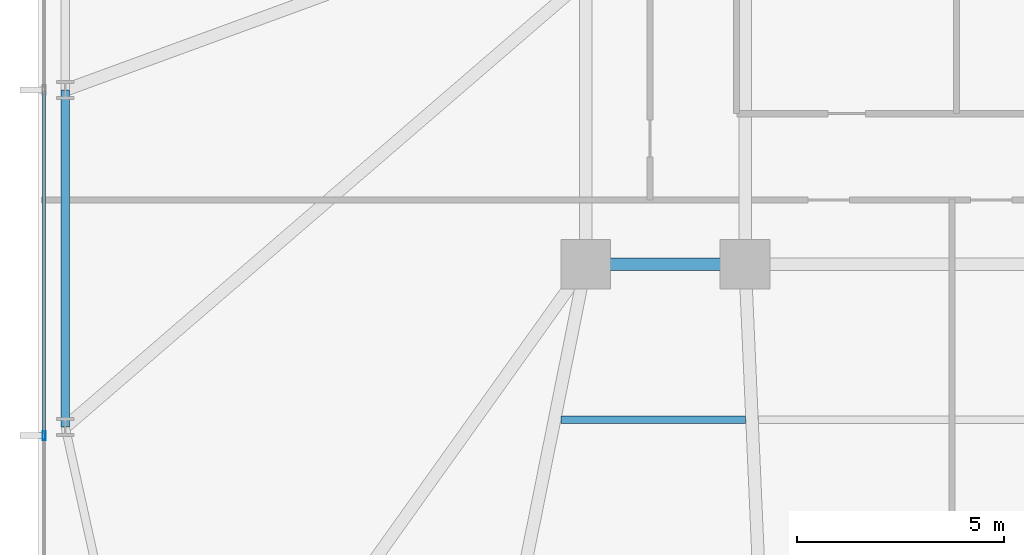
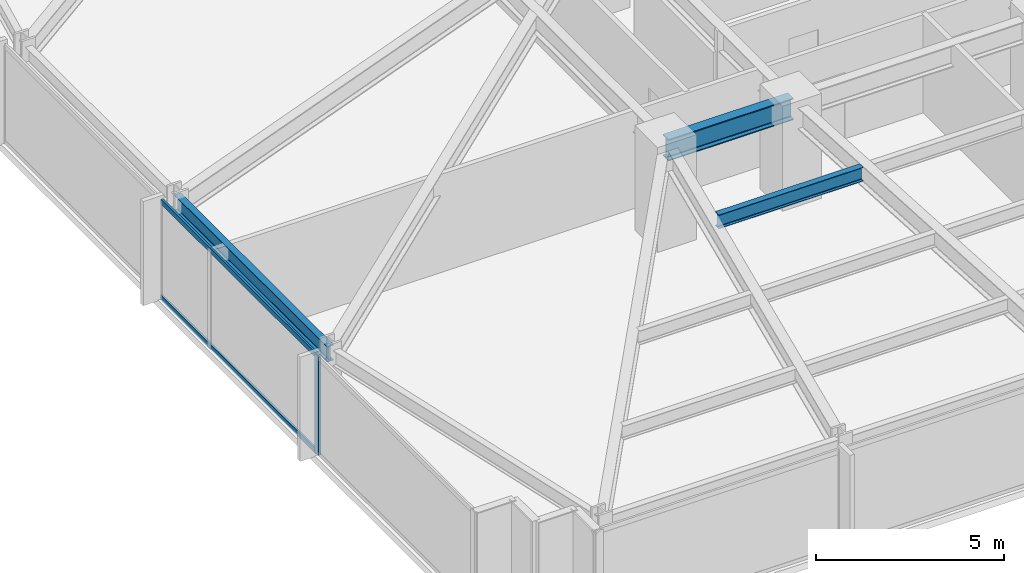
# One storey, part 4 of 33: 3 beams, 3 members, 1 element without a shape of its own.
"""IFC4 building model written with IfcOpenShell, lengths in metres."""

from ifc_helpers import new_model, si_unit, direction, frame, origin, origin_2d, place, context, subcontext, project, spatial, hollow_rectangle, i_section, extrude, material, material_profile, profile_set, type_object, element, aggregate, save


model = new_model("IFC4")

# Units and contexts
model_context = context("Model", 3, precision=1e-05, world=origin(), true_north=direction((0.0, 1.0)))
body_context = subcontext(model_context, "Body", "Model", "MODEL_VIEW")
ifc_project = project(units=[si_unit("LENGTHUNIT", "METRE"), si_unit("AREAUNIT", "SQUARE_METRE"), si_unit("VOLUMEUNIT", "CUBIC_METRE"), si_unit("PLANEANGLEUNIT", "RADIAN"), si_unit("MASSUNIT", "GRAM", prefix="KILO")], contexts=[model_context])

# Site, building, storey
site_placement = place(None, origin())
site = spatial("IfcSite", under=ifc_project, at=site_placement, CompositionType="ELEMENT")
building_placement = place(site_placement, origin())
building = spatial("IfcBuilding", under=site, at=building_placement, Name="Yelkora Congress Tower", CompositionType="ELEMENT")
storey_placement = place(building_placement, frame((0.0, 0.0, 54.199951171875)))
storey = spatial("IfcBuildingStorey", under=building, at=storey_placement, Name="L13", CompositionType="ELEMENT", Elevation=54.199951171875)

# Beams
ifc_material_1 = material(Name="Steel S355J2", Category="steel")
ifc_material_profile_1 = material_profile(ifc_material_1, i_section(OverallWidth=0.300048828125, OverallDepth=0.699951171875, WebThickness=0.01708984375, FlangeThickness=0.031982421875, FilletRadius=0.027099609375, at=origin_2d()), Name="HEB 700")
ifc_profile_set_1 = profile_set([ifc_material_profile_1], Name="Steel S355J2")
beam_type_1 = type_object("IfcBeamType", Name="BM-GIRD-HEB700", PredefinedType="BEAM", material=ifc_profile_set_1)
beam_1_placement = place(storey_placement, frame((19.199951171875, 25.199951171875, 2.830078125), z_axis=(1.0, 0.0, 0.0), x_axis=(0.0, 1.0, 0.0)))
element("IfcBeam", 1, at=beam_1_placement, inside=storey, type_object=beam_type_1, Name="L13 Spine Grid D Girder 1", PredefinedType="BEAM", context=body_context, shape_type="SweptSolid", body=[
    extrude(i_section(OverallWidth=0.300048828125, OverallDepth=0.699951171875, WebThickness=0.01708984375, FlangeThickness=0.031982421875, FilletRadius=0.027099609375, at=origin_2d()), origin(), (0.0, 0.0, 1.0), 3.840087890625),
])
ifc_material_profile_2 = material_profile(ifc_material_1, i_section(OverallWidth=0.18994140625, OverallDepth=0.449951171875, WebThickness=0.009521484375, FlangeThickness=0.0146484375, FilletRadius=0.02099609375, at=origin_2d()), Name="IPE 450")
ifc_profile_set_2 = profile_set([ifc_material_profile_2], Name="Steel S355J2")
beam_type_2 = type_object("IfcBeamType", Name="BM-JOIST-IPE450", PredefinedType="JOIST", material=ifc_profile_set_2)
beam_2_placement = place(storey_placement, frame((18.60546875, 21.449951171875, 2.955078125), z_axis=(1.0, 0.0, 0.0), x_axis=(0.0, 1.0, 0.0)))
element("IfcBeam", 2, at=beam_2_placement, inside=storey, type_object=beam_type_2, Name="L13 Composite Floor Joist 17", PredefinedType="JOIST", context=body_context, shape_type="SweptSolid", body=[
    extrude(i_section(OverallWidth=0.18994140625, OverallDepth=0.449951171875, WebThickness=0.009521484375, FlangeThickness=0.0146484375, FilletRadius=0.02099609375, at=origin_2d()), origin(), (0.0, 0.0, 1.0), 4.4404296875),
])
ifc_material_profile_3 = material_profile(ifc_material_1, i_section(OverallWidth=0.199951171875, OverallDepth=0.5, WebThickness=0.01025390625, FlangeThickness=0.01611328125, FilletRadius=0.02099609375, at=origin_2d()), Name="IPE 500")
ifc_profile_set_3 = profile_set([ifc_material_profile_3], Name="Steel S355J2")
beam_type_3 = type_object("IfcBeamType", Name="BM-SPAN-IPE500", PredefinedType="SPANDREL", material=ifc_profile_set_3)
beam_3_placement = place(storey_placement, frame((6.64990234375, 29.39990234375, 2.929931640625), z_axis=(0.0, -1.0, 0.0), x_axis=(1.0, 0.0, 0.0)))
element("IfcBeam", 3, at=beam_3_placement, inside=storey, type_object=beam_type_3, Name="L13 Perimeter Beam 19", PredefinedType="SPANDREL", context=body_context, shape_type="SweptSolid", body=[
    extrude(i_section(OverallWidth=0.199951171875, OverallDepth=0.5, WebThickness=0.01025390625, FlangeThickness=0.01611328125, FilletRadius=0.02099609375, at=origin_2d()), origin(), (0.0, 0.0, 1.0), 8.125),
])

# Curtain wall, members
ifc_material_2 = material(Name="Anodised aluminium and insulated glass", Category="aluminium")
curtain_wall_type = type_object("IfcCurtainWallType", Name="CW-SYS-B1", PredefinedType="NOTDEFINED", material=ifc_material_2)
curtain_wall_placement = place(storey_placement, origin())
curtain_wall = element("IfcCurtainWall", 4, at=curtain_wall_placement, inside=storey, type_object=curtain_wall_type, Name="L13 Unitised Curtain Wall 5", PredefinedType="NOTDEFINED")
ifc_material_3 = material(Name="Anodised aluminium 6063-T6", Category="aluminium")
ifc_material_profile_4 = material_profile(ifc_material_3, hollow_rectangle(XDim=0.074951171875, YDim=0.219970703125, WallThickness=0.0048828125, at=origin_2d()), Name="ALU 75x220x5")
ifc_profile_set_4 = profile_set([ifc_material_profile_4], Name="Anodised aluminium 6063-T6")
member_type_1 = type_object("IfcMemberType", Name="MEM-ML-B1", PredefinedType="MULLION", material=ifc_profile_set_4)
member_1_placement = place(storey_placement, frame((6.139892578125, 21.070068359375, 0.0), z_axis=(0.0, 0.0, 1.0), x_axis=(-1.0, 0.0, 0.0)))
member_1 = element("IfcMember", 5, at=member_1_placement, type_object=member_type_1, Name="CW-B1 mullion 2", PredefinedType="MULLION", context=body_context, shape_type="SweptSolid", body=[
    extrude(hollow_rectangle(XDim=0.074951171875, YDim=0.219970703125, WallThickness=0.0048828125, at=origin_2d()), origin(), (0.0, 0.0, 1.0), 3.179931640625),
])
ifc_material_profile_5 = material_profile(ifc_material_3, hollow_rectangle(XDim=0.06494140625, YDim=0.159912109375, WallThickness=0.00390625, at=origin_2d()), Name="ALU 65x160x4")
ifc_profile_set_5 = profile_set([ifc_material_profile_5], Name="Anodised aluminium 6063-T6")
member_type_2 = type_object("IfcMemberType", Name="MEM-TR-B1", PredefinedType="USERDEFINED", material=ifc_profile_set_5)
member_2_placement = place(storey_placement, frame((6.139892578125, 21.107421875, 0.032470703125), z_axis=(0.0, 1.0, 0.0), x_axis=(-1.0, 0.0, 0.0)))
member_2 = element("IfcMember", 6, at=member_2_placement, type_object=member_type_2, Name="CW-B1 transom 2.1", ObjectType="TRANSOM", PredefinedType="USERDEFINED", context=body_context, shape_type="SweptSolid", body=[
    extrude(hollow_rectangle(XDim=0.06494140625, YDim=0.159912109375, WallThickness=0.00390625, at=origin_2d()), origin(), (0.0, 0.0, 1.0), 8.255126953125),
])
member_3_placement = place(storey_placement, frame((6.139892578125, 21.107421875, 3.1474609375), z_axis=(0.0, 1.0, 0.0), x_axis=(-1.0, 0.0, 0.0)))
member_3 = element("IfcMember", 7, at=member_3_placement, type_object=member_type_2, Name="CW-B1 transom 2.2", ObjectType="TRANSOM", PredefinedType="USERDEFINED", context=body_context, shape_type="SweptSolid", body=[
    extrude(hollow_rectangle(XDim=0.06494140625, YDim=0.159912109375, WallThickness=0.00390625, at=origin_2d()), origin(), (0.0, 0.0, 1.0), 8.255126953125),
])
aggregate(curtain_wall, [member_1, member_2, member_3])

save(model, "model.ifc")
